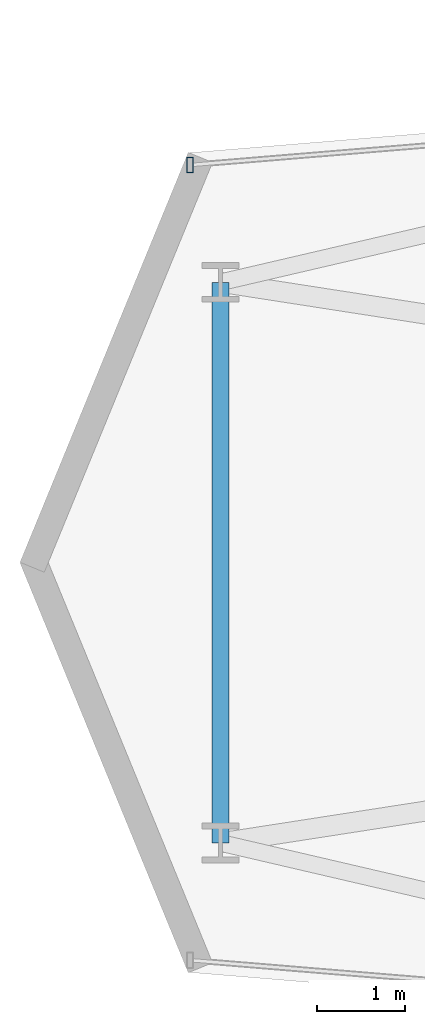
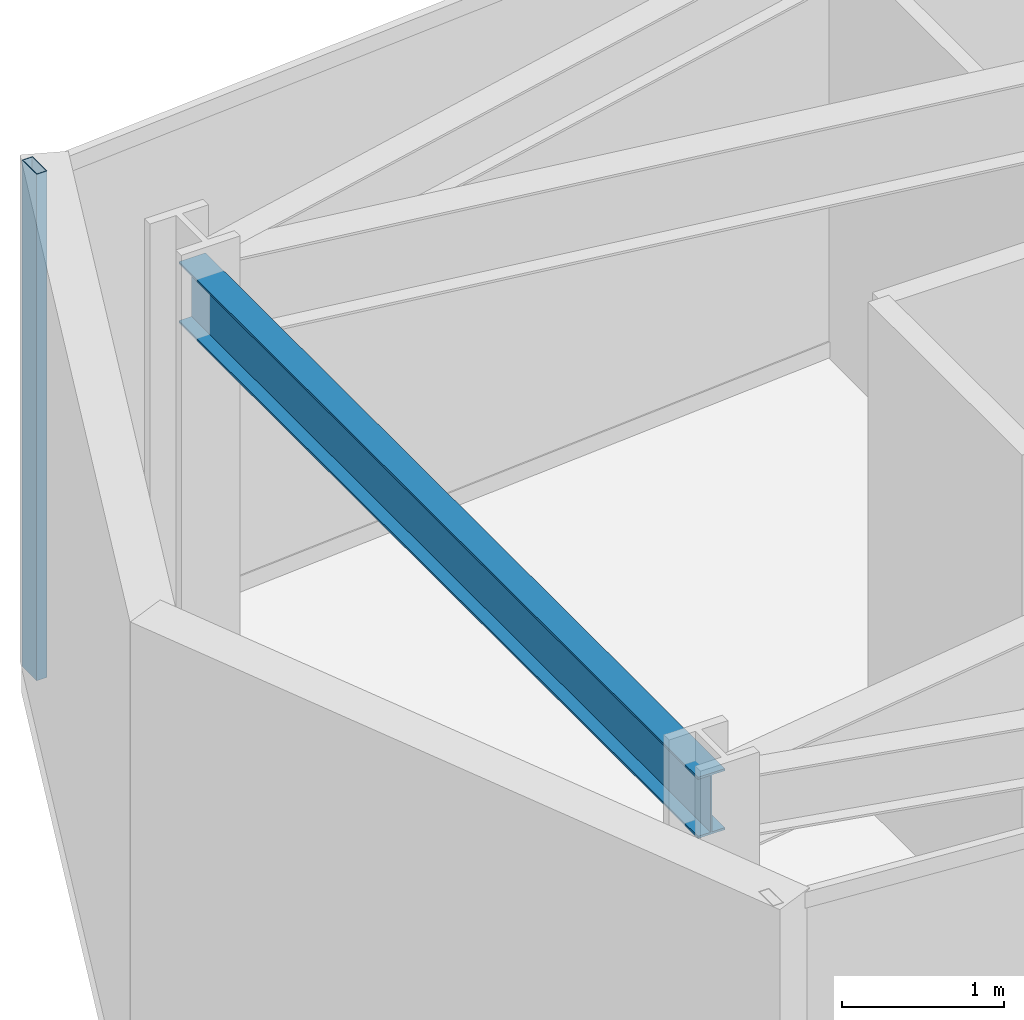
# One storey, part 6 of 25: 1 beam, 1 member, 1 element without a shape of its own.
"""IFC4 building model written with IfcOpenShell, lengths in metres."""

from ifc_helpers import new_model, si_unit, direction, frame, origin, origin_2d, place, context, subcontext, project, spatial, hollow_rectangle, i_section, extrude, material, layer, layer_set, material_profile, profile_set, type_object, element, aggregate, save


model = new_model("IFC4")

# Units and contexts
model_context = context("Model", 3, precision=1e-05, world=origin(), true_north=direction((0.0, 1.0)))
body_context = subcontext(model_context, "Body", "Model", "MODEL_VIEW")
ifc_project = project(units=[si_unit("LENGTHUNIT", "METRE"), si_unit("AREAUNIT", "SQUARE_METRE"), si_unit("VOLUMEUNIT", "CUBIC_METRE"), si_unit("PLANEANGLEUNIT", "RADIAN"), si_unit("MASSUNIT", "GRAM", prefix="KILO")], contexts=[model_context])

# Site, building, storey
site_placement = place(None, origin())
site = spatial("IfcSite", under=ifc_project, at=site_placement, CompositionType="ELEMENT")
building_placement = place(site_placement, origin())
building = spatial("IfcBuilding", under=site, at=building_placement, Name="Veymaron Broadcast Tower", CompositionType="ELEMENT")
storey_placement = place(building_placement, frame((0.0, 0.0, 116.85009765625)))
storey = spatial("IfcBuildingStorey", under=building, at=storey_placement, Name="L26", CompositionType="ELEMENT", Elevation=116.85009765625)

# Beam
ifc_material_1 = material(Name="Structural steel ASTM A992 Gr 50", Category="steel")
ifc_material_profile_1 = material_profile(ifc_material_1, i_section(OverallWidth=0.19091796875, OverallDepth=0.4599609375, WebThickness=0.010009765625, FlangeThickness=0.01611328125, at=origin_2d()), Name="W460X82")
ifc_profile_set_1 = profile_set([ifc_material_profile_1], Name="Structural steel ASTM A992 Gr 50")
beam_type = type_object("IfcBeamType", Name="BM-SP1", PredefinedType="SPANDREL", material=ifc_profile_set_1)
beam_placement = place(storey_placement, frame((10.56005859375, 20.800048828125, 3.579833984375), z_axis=(0.0, 1.0, 0.0), x_axis=(-1.0, 0.0, 0.0)))
element("IfcBeam", 1, at=beam_placement, inside=storey, type_object=beam_type, Name="L26 primary structural floor girder", PredefinedType="SPANDREL", context=body_context, shape_type="SweptSolid", body=[
    extrude(i_section(OverallWidth=0.19091796875, OverallDepth=0.4599609375, WebThickness=0.010009765625, FlangeThickness=0.01611328125, at=origin_2d()), origin(), (0.0, 0.0, 1.0), 6.39990234375),
])

# Curtain wall, member
ifc_material_2 = material(Name="Anodised aluminium AA 6063-T6 and laminated low-E dark glass", Category="aluminium")
ifc_layer = layer(ifc_material_2, 0.179931640625)
ifc_layer_set = layer_set([ifc_layer], Name="Anodised aluminium AA 6063-T6 and laminated low-E dark glass")
curtain_wall_type = type_object("IfcCurtainWallType", Name="CW-SYS-03", PredefinedType="NOTDEFINED", material=ifc_layer_set)
curtain_wall_placement = place(storey_placement, origin())
curtain_wall = element("IfcCurtainWall", 2, at=curtain_wall_placement, inside=storey, type_object=curtain_wall_type, Name="L26 dark-glass curtain wall CW-L26-E11-1", PredefinedType="NOTDEFINED")
ifc_material_3 = material(Name="Anodised aluminium AA 6063-T6", Category="aluminium")
ifc_material_profile_2 = material_profile(ifc_material_3, hollow_rectangle(XDim=0.074951171875, YDim=0.179931640625, WallThickness=0.0048828125, at=origin_2d()), Name="AL180X75X5")
ifc_profile_set_2 = profile_set([ifc_material_profile_2], Name="Anodised aluminium AA 6063-T6")
member_type = type_object("IfcMemberType", Name="CW-MUL-02", PredefinedType="MULLION", material=ifc_profile_set_2)
member_placement = place(storey_placement, frame((10.211669921875, 28.5390625, 0.0), z_axis=(0.0, 0.0, 1.0), x_axis=(1.0, 0.0, 0.0)))
member = element("IfcMember", 3, at=member_placement, type_object=member_type, Name="CW-L26-E11-1 mullion 2", PredefinedType="MULLION", context=body_context, shape_type="SweptSolid", body=[
    extrude(hollow_rectangle(XDim=0.074951171875, YDim=0.179931640625, WallThickness=0.0048828125, at=origin_2d()), origin(), (0.0, 0.0, 1.0), 3.809814453125),
])
aggregate(curtain_wall, [member])

save(model, "model.ifc")
